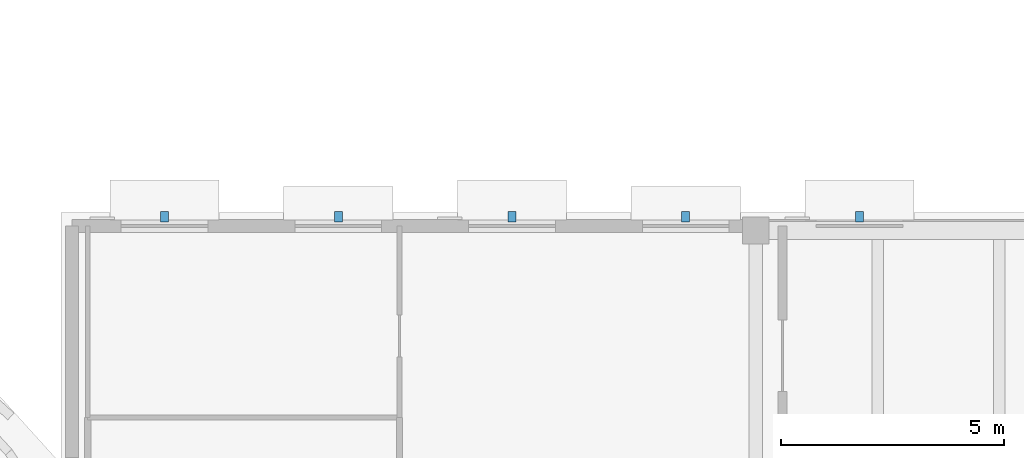
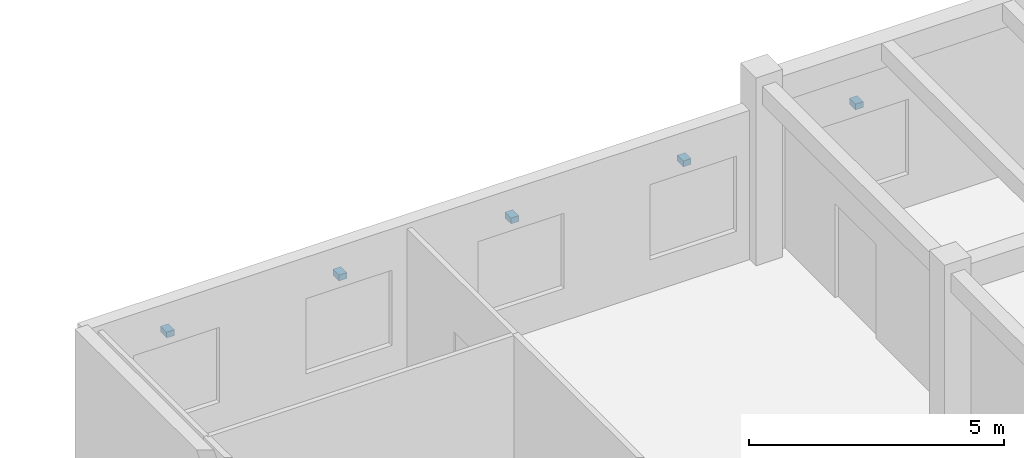
# One storey, part 39 of 46: 5 discrete accessories.
"""IFC4 building model written with IfcOpenShell, lengths in metres."""

from ifc_helpers import new_model, si_unit, direction, frame, origin, origin_2d, place, context, subcontext, project, spatial, rectangle, extrude, material, type_object, element, save


model = new_model("IFC4")

# Units and contexts
model_context = context("Model", 3, precision=1e-05, world=origin(), true_north=direction((0.0, 1.0)))
body_context = subcontext(model_context, "Body", "Model", "MODEL_VIEW")
ifc_project = project(units=[si_unit("LENGTHUNIT", "METRE"), si_unit("AREAUNIT", "SQUARE_METRE"), si_unit("VOLUMEUNIT", "CUBIC_METRE"), si_unit("PLANEANGLEUNIT", "RADIAN"), si_unit("MASSUNIT", "GRAM", prefix="KILO")], contexts=[model_context])

# Site, building, storey
site_placement = place(None, origin())
site = spatial("IfcSite", under=ifc_project, at=site_placement, CompositionType="ELEMENT")
building_placement = place(site_placement, origin())
building = spatial("IfcBuilding", under=site, at=building_placement, Name="Pelvatis Terrace Science Centre", CompositionType="ELEMENT")
storey_placement = place(building_placement, frame((0.0, 0.0, 19.800048828125)))
storey = spatial("IfcBuildingStorey", under=building, at=storey_placement, Name="L04", CompositionType="ELEMENT", Elevation=19.800048828125)

# Discrete accessories
ifc_material = material(Name="Structural steel S355", Category="steel")
discrete_accessory_type = type_object("IfcDiscreteAccessoryType", Name="BRK-STL-01", PredefinedType="BRACKET", material=ifc_material)
for number, where, name in (
    (1, (134.925048828125, 101.3076171875, 2.550048828125), "Facade shading bracket BRK-WIN-L04-130"),
    (2, (138.824951171875, 101.3076171875, 2.550048828125), "Facade shading bracket BRK-WIN-L04-131"),
    (3, (142.72509765625, 101.3076171875, 2.550048828125), "Facade shading bracket BRK-WIN-L04-132"),
    (4, (146.625, 101.3076171875, 2.550048828125), "Facade shading bracket BRK-WIN-L04-133"),
    (5, (150.52490234375, 101.3076171875, 2.550048828125), "Facade shading bracket BRK-WIN-L04-134"),
):
    element("IfcDiscreteAccessory", number, at=place(storey_placement, frame(where)), inside=storey, type_object=discrete_accessory_type, Name=name, PredefinedType="BRACKET", context=body_context, shape_type="SweptSolid", body=[
        extrude(rectangle(XDim=0.18, YDim=0.24, at=origin_2d()), origin(), (0.0, 0.0, 1.0), 0.139892578125),
    ])

save(model, "model.ifc")
